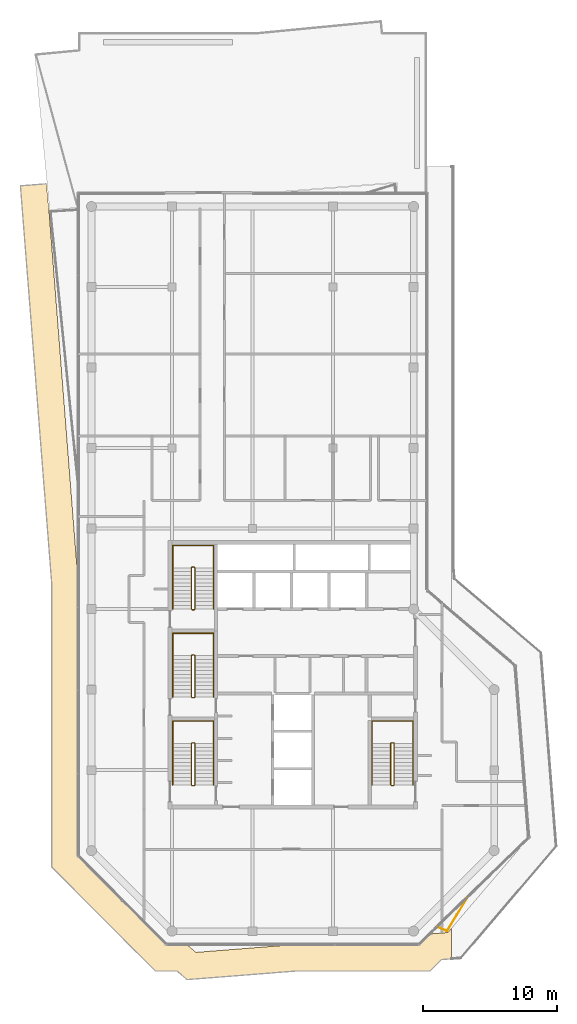
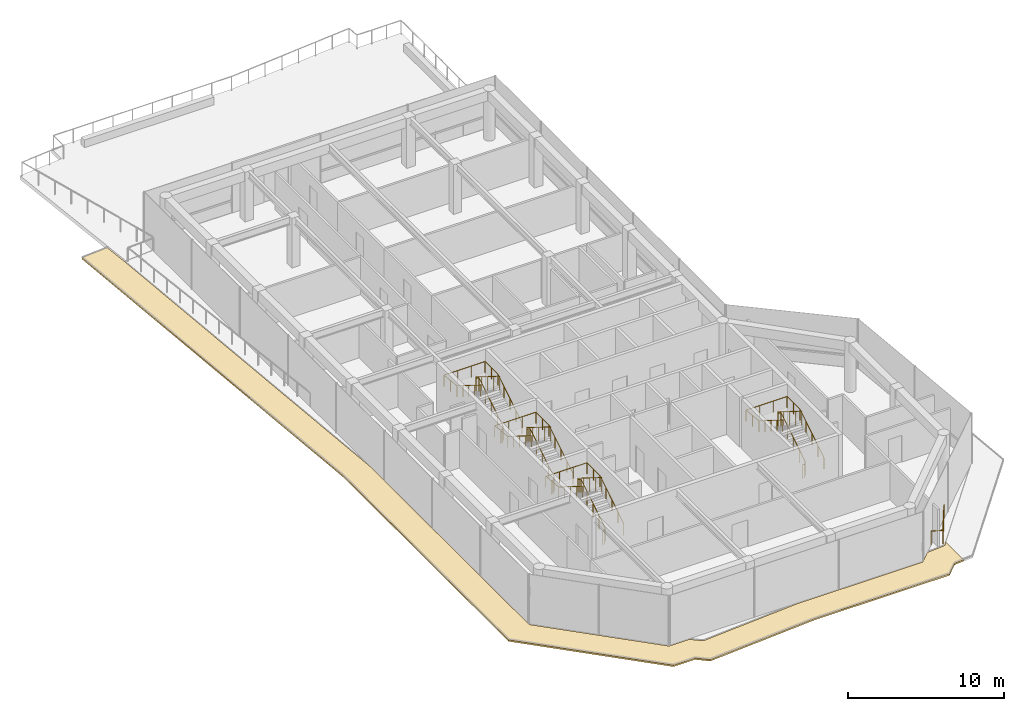
# One storey, part 19 of 20: 9 railings, 1 covering.
"""IFC4 building model written with IfcOpenShell, lengths in metres."""

from ifc_helpers import new_model, si_unit, direction, frame, origin, origin_2d, place, context, subcontext, project, spatial, polyline, circle, outline, extrude, material, layer, layer_set, type_object, element, save


model = new_model("IFC4")

# Units and contexts
model_context = context("Model", 3, precision=1e-05, world=origin(), true_north=direction((0.0, 1.0)))
body_context = subcontext(model_context, "Body", "Model", "MODEL_VIEW")
ifc_project = project(units=[si_unit("LENGTHUNIT", "METRE"), si_unit("AREAUNIT", "SQUARE_METRE"), si_unit("VOLUMEUNIT", "CUBIC_METRE"), si_unit("PLANEANGLEUNIT", "RADIAN"), si_unit("MASSUNIT", "GRAM", prefix="KILO")], contexts=[model_context])

# Site, building, storey
site_placement = place(None, origin())
site = spatial("IfcSite", under=ifc_project, at=site_placement, CompositionType="ELEMENT")
building_placement = place(site_placement, origin())
building = spatial("IfcBuilding", under=site, at=building_placement, Name="Welwitschia Terrace Campus", CompositionType="ELEMENT")
storey_placement = place(building_placement, frame((0.0, 0.0, 314.60009765625)))
storey = spatial("IfcBuildingStorey", under=building, at=storey_placement, Name="L70", CompositionType="ELEMENT", Elevation=314.60009765625)

# Railings
ifc_material_1 = material(Name="Stainless steel grade 316", Category="steel")
railing_type_1 = type_object("IfcRailingType", Name="Guard 1100", PredefinedType="GUARDRAIL", material=ifc_material_1)
railing_1_placement = place(storey_placement, frame((27.984619140625, -1.5478515625, 0.0)))
element("IfcRailing", 1, at=railing_1_placement, inside=storey, type_object=railing_type_1, Name="Guard floor edge L70.2", PredefinedType="GUARDRAIL", context=body_context, shape_type="SweptSolid", body=[
    extrude(circle(Radius=0.02392578125, at=origin_2d()), frame((0.0, 0.0, 1.076171875), z_axis=(-0.522319838218, -0.85274966233, 0.0), x_axis=(0.85274966233, -0.522319838218, 0.0)), (0.0, 0.0, 1.0), 2.860107421875),
    extrude(circle(Radius=0.02392578125, at=origin_2d()), frame((-1.493896484375, -2.43896484375, 1.076171875), z_axis=(-0.926190574239, 0.377055725578, 0.0), x_axis=(-0.377055725578, -0.926190574239, 0.0)), (0.0, 0.0, 1.0), 0.771728515625),
    extrude(circle(Radius=0.02099609375, at=origin_2d()), origin(), (0.0, 0.0, 1.0), 1.052001953125),
    extrude(circle(Radius=0.02099609375, at=origin_2d()), frame((-0.7470703125, -1.219482421875, 0.0)), (0.0, 0.0, 1.0), 1.052001953125),
    extrude(circle(Radius=0.02099609375, at=origin_2d()), frame((-1.493896484375, -2.43896484375, 0.0)), (0.0, 0.0, 1.0), 1.052001953125),
    extrude(circle(Radius=0.02099609375, at=origin_2d()), frame((-2.208740234375, -2.14794921875, 0.0)), (0.0, 0.0, 1.0), 1.052001953125),
])
ifc_material_2 = material(Name="Steel S355", Category="steel")
railing_type_2 = type_object("IfcRailingType", Name="Stair guard 1100", PredefinedType="GUARDRAIL", material=ifc_material_2)
railing_2_placement = place(storey_placement, frame((7.5, 6.85009765625, 0.0)))
element("IfcRailing", 2, at=railing_2_placement, inside=storey, type_object=railing_type_2, Name="L70 S1 stair guard", PredefinedType="GUARDRAIL", context=body_context, shape_type="SweptSolid", body=[
    extrude(circle(Radius=0.02392578125, at=origin_2d()), frame((0.0, 0.0, 1.076171875), z_axis=(1.0, 0.0, 0.0), x_axis=(0.0, 1.0, 0.0)), (0.0, 0.0, 1.0), 0.14990234375),
    extrude(circle(Radius=0.02392578125, at=origin_2d()), frame((0.14990234375, 0.0, 1.076171875), z_axis=(0.265474339444, 0.264179342666, 0.927217692888), x_axis=(-0.705375805398, 0.708833529934, 0.0)), (0.0, 0.0, 1.0), 0.1884765625),
    extrude(circle(Radius=0.02392578125, at=origin_2d()), frame((0.199951171875, 0.0498046875, 1.2509765625), z_axis=(0.0, 0.847998304005, 0.529998940003), x_axis=(-1.0, 0.0, 0.0)), (0.0, 0.0, 1.0), 3.632080078125),
    extrude(circle(Radius=0.02392578125, at=origin_2d()), frame((0.199951171875, 3.1298828125, 3.17578125), z_axis=(-0.707106781187, 0.707106781187, 0.0), x_axis=(-0.707106781187, -0.707106781187, 0.0)), (0.0, 0.0, 1.0), 0.07080078125),
    extrude(circle(Radius=0.02392578125, at=origin_2d()), frame((0.14990234375, 3.179931640625, 3.17578125), z_axis=(-1.0, 0.0, 0.0), x_axis=(0.0, -1.0, 0.0)), (0.0, 0.0, 1.0), 0.14990234375),
    extrude(circle(Radius=0.02392578125, at=origin_2d()), frame((0.0, 3.179931640625, 3.17578125), z_axis=(-0.265065253269, -0.265065253269, 0.927081885822), x_axis=(0.707106781187, -0.707106781187, 0.0)), (0.0, 0.0, 1.0), 0.188720703125),
    extrude(circle(Radius=0.02392578125, at=origin_2d()), frame((-0.050048828125, 3.1298828125, 3.35107421875), z_axis=(0.0, -0.847998304005, 0.529998940003), x_axis=(1.0, 0.0, 0.0)), (0.0, 0.0, 1.0), 3.632080078125),
    extrude(circle(Radius=0.02099609375, at=origin_2d()), origin(), (0.0, 0.0, 1.0), 1.052001953125),
    extrude(circle(Radius=0.02099609375, at=origin_2d()), frame((0.14990234375, 0.0, 0.0)), (0.0, 0.0, 1.0), 1.052001953125),
    extrude(circle(Radius=0.02099609375, at=origin_2d()), frame((0.199951171875, 0.0498046875, 0.1748046875)), (0.0, 0.0, 1.0), 1.052001953125),
    extrude(circle(Radius=0.02099609375, at=origin_2d()), frame((0.199951171875, 0.81982421875, 0.656005859375)), (0.0, 0.0, 1.0), 1.052001953125),
    extrude(circle(Radius=0.02099609375, at=origin_2d()), frame((0.199951171875, 1.58984375, 1.13720703125)), (0.0, 0.0, 1.0), 1.052001953125),
    extrude(circle(Radius=0.02099609375, at=origin_2d()), frame((0.199951171875, 2.35986328125, 1.61865234375)), (0.0, 0.0, 1.0), 1.052001953125),
    extrude(circle(Radius=0.02099609375, at=origin_2d()), frame((0.199951171875, 3.1298828125, 2.099853515625)), (0.0, 0.0, 1.0), 1.052001953125),
    extrude(circle(Radius=0.02099609375, at=origin_2d()), frame((0.14990234375, 3.179931640625, 2.099853515625)), (0.0, 0.0, 1.0), 1.052001953125),
    extrude(circle(Radius=0.02099609375, at=origin_2d()), frame((0.0, 3.179931640625, 2.099853515625)), (0.0, 0.0, 1.0), 1.052001953125),
    extrude(circle(Radius=0.02099609375, at=origin_2d()), frame((-0.050048828125, 3.1298828125, 2.27490234375)), (0.0, 0.0, 1.0), 1.052001953125),
    extrude(circle(Radius=0.02099609375, at=origin_2d()), frame((-0.050048828125, 2.35986328125, 2.756103515625)), (0.0, 0.0, 1.0), 1.052001953125),
    extrude(circle(Radius=0.02099609375, at=origin_2d()), frame((-0.050048828125, 1.58984375, 3.2373046875)), (0.0, 0.0, 1.0), 1.052001953125),
    extrude(circle(Radius=0.02099609375, at=origin_2d()), frame((-0.050048828125, 0.81982421875, 3.71875)), (0.0, 0.0, 1.0), 1.052001953125),
    extrude(circle(Radius=0.02099609375, at=origin_2d()), frame((-0.050048828125, 0.0498046875, 4.199951171875)), (0.0, 0.0, 1.0), 1.052001953125),
])
railing_3_placement = place(storey_placement, frame((7.5, 13.39990234375, 0.0)))
element("IfcRailing", 3, at=railing_3_placement, inside=storey, type_object=railing_type_2, Name="L70 S3 stair guard", PredefinedType="GUARDRAIL", context=body_context, shape_type="SweptSolid", body=[
    extrude(circle(Radius=0.02392578125, at=origin_2d()), frame((0.0, 0.0, 1.076171875), z_axis=(1.0, 0.0, 0.0), x_axis=(0.0, 1.0, 0.0)), (0.0, 0.0, 1.0), 0.14990234375),
    extrude(circle(Radius=0.02392578125, at=origin_2d()), frame((0.14990234375, 0.0, 1.076171875), z_axis=(0.265383341853, 0.265383341853, 0.926899867156), x_axis=(-0.707106781187, 0.707106781187, 0.0)), (0.0, 0.0, 1.0), 0.1884765625),
    extrude(circle(Radius=0.02392578125, at=origin_2d()), frame((0.199951171875, 0.050048828125, 1.2509765625), z_axis=(0.0, 0.847998304005, 0.529998940003), x_axis=(-1.0, 0.0, 0.0)), (0.0, 0.0, 1.0), 3.632080078125),
    extrude(circle(Radius=0.02392578125, at=origin_2d()), frame((0.199951171875, 3.130126953125, 3.17578125), z_axis=(-0.707106781187, 0.707106781187, 0.0), x_axis=(-0.707106781187, -0.707106781187, 0.0)), (0.0, 0.0, 1.0), 0.07080078125),
    extrude(circle(Radius=0.02392578125, at=origin_2d()), frame((0.14990234375, 3.18017578125, 3.17578125), z_axis=(-1.0, 0.0, 0.0), x_axis=(0.0, -1.0, 0.0)), (0.0, 0.0, 1.0), 0.14990234375),
    extrude(circle(Radius=0.02392578125, at=origin_2d()), frame((0.0, 3.18017578125, 3.17578125), z_axis=(-0.265065253269, -0.265065253269, 0.927081885822), x_axis=(0.707106781187, -0.707106781187, 0.0)), (0.0, 0.0, 1.0), 0.188720703125),
    extrude(circle(Radius=0.02392578125, at=origin_2d()), frame((-0.050048828125, 3.130126953125, 3.35107421875), z_axis=(0.0, -0.847998304005, 0.529998940003), x_axis=(1.0, 0.0, 0.0)), (0.0, 0.0, 1.0), 3.632080078125),
    extrude(circle(Radius=0.02099609375, at=origin_2d()), origin(), (0.0, 0.0, 1.0), 1.052001953125),
    extrude(circle(Radius=0.02099609375, at=origin_2d()), frame((0.14990234375, 0.0, 0.0)), (0.0, 0.0, 1.0), 1.052001953125),
    extrude(circle(Radius=0.02099609375, at=origin_2d()), frame((0.199951171875, 0.050048828125, 0.1748046875)), (0.0, 0.0, 1.0), 1.052001953125),
    extrude(circle(Radius=0.02099609375, at=origin_2d()), frame((0.199951171875, 0.820068359375, 0.656005859375)), (0.0, 0.0, 1.0), 1.052001953125),
    extrude(circle(Radius=0.02099609375, at=origin_2d()), frame((0.199951171875, 1.590087890625, 1.13720703125)), (0.0, 0.0, 1.0), 1.052001953125),
    extrude(circle(Radius=0.02099609375, at=origin_2d()), frame((0.199951171875, 2.360107421875, 1.61865234375)), (0.0, 0.0, 1.0), 1.052001953125),
    extrude(circle(Radius=0.02099609375, at=origin_2d()), frame((0.199951171875, 3.130126953125, 2.099853515625)), (0.0, 0.0, 1.0), 1.052001953125),
    extrude(circle(Radius=0.02099609375, at=origin_2d()), frame((0.14990234375, 3.18017578125, 2.099853515625)), (0.0, 0.0, 1.0), 1.052001953125),
    extrude(circle(Radius=0.02099609375, at=origin_2d()), frame((0.0, 3.18017578125, 2.099853515625)), (0.0, 0.0, 1.0), 1.052001953125),
    extrude(circle(Radius=0.02099609375, at=origin_2d()), frame((-0.050048828125, 3.130126953125, 2.27490234375)), (0.0, 0.0, 1.0), 1.052001953125),
    extrude(circle(Radius=0.02099609375, at=origin_2d()), frame((-0.050048828125, 2.360107421875, 2.756103515625)), (0.0, 0.0, 1.0), 1.052001953125),
    extrude(circle(Radius=0.02099609375, at=origin_2d()), frame((-0.050048828125, 1.590087890625, 3.2373046875)), (0.0, 0.0, 1.0), 1.052001953125),
    extrude(circle(Radius=0.02099609375, at=origin_2d()), frame((-0.050048828125, 0.820068359375, 3.71875)), (0.0, 0.0, 1.0), 1.052001953125),
    extrude(circle(Radius=0.02099609375, at=origin_2d()), frame((-0.050048828125, 0.050048828125, 4.199951171875)), (0.0, 0.0, 1.0), 1.052001953125),
])
railing_4_placement = place(storey_placement, frame((7.5, 19.949951171875, 0.0)))
element("IfcRailing", 4, at=railing_4_placement, inside=storey, type_object=railing_type_2, Name="L70 S4 stair guard", PredefinedType="GUARDRAIL", context=body_context, shape_type="SweptSolid", body=[
    extrude(circle(Radius=0.02392578125, at=origin_2d()), frame((0.0, 0.0, 1.076171875), z_axis=(1.0, 0.0, 0.0), x_axis=(0.0, 1.0, 0.0)), (0.0, 0.0, 1.0), 0.14990234375),
    extrude(circle(Radius=0.02392578125, at=origin_2d()), frame((0.14990234375, 0.0, 1.076171875), z_axis=(0.265383341853, 0.265383341853, 0.926899867156), x_axis=(-0.707106781187, 0.707106781187, 0.0)), (0.0, 0.0, 1.0), 0.1884765625),
    extrude(circle(Radius=0.02392578125, at=origin_2d()), frame((0.199951171875, 0.050048828125, 1.2509765625), z_axis=(0.0, 0.847998304005, 0.529998940003), x_axis=(-1.0, 0.0, 0.0)), (0.0, 0.0, 1.0), 3.632080078125),
    extrude(circle(Radius=0.02392578125, at=origin_2d()), frame((0.199951171875, 3.130126953125, 3.17578125), z_axis=(-0.708833529934, 0.705375805398, 0.0), x_axis=(-0.705375805398, -0.708833529934, 0.0)), (0.0, 0.0, 1.0), 0.070556640625),
    extrude(circle(Radius=0.02392578125, at=origin_2d()), frame((0.14990234375, 3.179931640625, 3.17578125), z_axis=(-1.0, 0.0, 0.0), x_axis=(0.0, -1.0, 0.0)), (0.0, 0.0, 1.0), 0.14990234375),
    extrude(circle(Radius=0.02392578125, at=origin_2d()), frame((0.0, 3.179931640625, 3.17578125), z_axis=(-0.265155923931, -0.263862480399, 0.927399011991), x_axis=(0.705375805398, -0.708833529934, 0.0)), (0.0, 0.0, 1.0), 0.188720703125),
    extrude(circle(Radius=0.02392578125, at=origin_2d()), frame((-0.050048828125, 3.130126953125, 3.35107421875), z_axis=(0.0, -0.847998304005, 0.529998940003), x_axis=(1.0, 0.0, 0.0)), (0.0, 0.0, 1.0), 3.632080078125),
    extrude(circle(Radius=0.02099609375, at=origin_2d()), origin(), (0.0, 0.0, 1.0), 1.052001953125),
    extrude(circle(Radius=0.02099609375, at=origin_2d()), frame((0.14990234375, 0.0, 0.0)), (0.0, 0.0, 1.0), 1.052001953125),
    extrude(circle(Radius=0.02099609375, at=origin_2d()), frame((0.199951171875, 0.050048828125, 0.1748046875)), (0.0, 0.0, 1.0), 1.052001953125),
    extrude(circle(Radius=0.02099609375, at=origin_2d()), frame((0.199951171875, 0.820068359375, 0.656005859375)), (0.0, 0.0, 1.0), 1.052001953125),
    extrude(circle(Radius=0.02099609375, at=origin_2d()), frame((0.199951171875, 1.590087890625, 1.13720703125)), (0.0, 0.0, 1.0), 1.052001953125),
    extrude(circle(Radius=0.02099609375, at=origin_2d()), frame((0.199951171875, 2.360107421875, 1.61865234375)), (0.0, 0.0, 1.0), 1.052001953125),
    extrude(circle(Radius=0.02099609375, at=origin_2d()), frame((0.199951171875, 3.130126953125, 2.099853515625)), (0.0, 0.0, 1.0), 1.052001953125),
    extrude(circle(Radius=0.02099609375, at=origin_2d()), frame((0.14990234375, 3.179931640625, 2.099853515625)), (0.0, 0.0, 1.0), 1.052001953125),
    extrude(circle(Radius=0.02099609375, at=origin_2d()), frame((0.0, 3.179931640625, 2.099853515625)), (0.0, 0.0, 1.0), 1.052001953125),
    extrude(circle(Radius=0.02099609375, at=origin_2d()), frame((-0.050048828125, 3.130126953125, 2.27490234375)), (0.0, 0.0, 1.0), 1.052001953125),
    extrude(circle(Radius=0.02099609375, at=origin_2d()), frame((-0.050048828125, 2.360107421875, 2.756103515625)), (0.0, 0.0, 1.0), 1.052001953125),
    extrude(circle(Radius=0.02099609375, at=origin_2d()), frame((-0.050048828125, 1.590087890625, 3.2373046875)), (0.0, 0.0, 1.0), 1.052001953125),
    extrude(circle(Radius=0.02099609375, at=origin_2d()), frame((-0.050048828125, 0.820068359375, 3.71875)), (0.0, 0.0, 1.0), 1.052001953125),
    extrude(circle(Radius=0.02099609375, at=origin_2d()), frame((-0.050048828125, 0.050048828125, 4.199951171875)), (0.0, 0.0, 1.0), 1.052001953125),
])
railing_5_placement = place(storey_placement, frame((22.35009765625, 6.85009765625, 0.0)))
element("IfcRailing", 5, at=railing_5_placement, inside=storey, type_object=railing_type_2, Name="L70 S2 stair guard", PredefinedType="GUARDRAIL", context=body_context, shape_type="SweptSolid", body=[
    extrude(circle(Radius=0.02392578125, at=origin_2d()), frame((0.0, 0.0, 1.076171875), z_axis=(1.0, 0.0, 0.0), x_axis=(0.0, 1.0, 0.0)), (0.0, 0.0, 1.0), 0.14990234375),
    extrude(circle(Radius=0.02392578125, at=origin_2d()), frame((0.14990234375, 0.0, 1.076171875), z_axis=(0.265474339444, 0.264179342666, 0.927217692888), x_axis=(-0.705375805398, 0.708833529934, 0.0)), (0.0, 0.0, 1.0), 0.1884765625),
    extrude(circle(Radius=0.02392578125, at=origin_2d()), frame((0.199951171875, 0.0498046875, 1.2509765625), z_axis=(0.0, 0.847998304005, 0.529998940003), x_axis=(-1.0, 0.0, 0.0)), (0.0, 0.0, 1.0), 3.632080078125),
    extrude(circle(Radius=0.02392578125, at=origin_2d()), frame((0.199951171875, 3.1298828125, 3.17578125), z_axis=(-0.707106781187, 0.707106781187, 0.0), x_axis=(-0.707106781187, -0.707106781187, 0.0)), (0.0, 0.0, 1.0), 0.07080078125),
    extrude(circle(Radius=0.02392578125, at=origin_2d()), frame((0.14990234375, 3.179931640625, 3.17578125), z_axis=(-1.0, 0.0, 0.0), x_axis=(0.0, -1.0, 0.0)), (0.0, 0.0, 1.0), 0.14990234375),
    extrude(circle(Radius=0.02392578125, at=origin_2d()), frame((0.0, 3.179931640625, 3.17578125), z_axis=(-0.265065253269, -0.265065253269, 0.927081885822), x_axis=(0.707106781187, -0.707106781187, 0.0)), (0.0, 0.0, 1.0), 0.188720703125),
    extrude(circle(Radius=0.02392578125, at=origin_2d()), frame((-0.050048828125, 3.1298828125, 3.35107421875), z_axis=(0.0, -0.847998304005, 0.529998940003), x_axis=(1.0, 0.0, 0.0)), (0.0, 0.0, 1.0), 3.632080078125),
    extrude(circle(Radius=0.02099609375, at=origin_2d()), origin(), (0.0, 0.0, 1.0), 1.052001953125),
    extrude(circle(Radius=0.02099609375, at=origin_2d()), frame((0.14990234375, 0.0, 0.0)), (0.0, 0.0, 1.0), 1.052001953125),
    extrude(circle(Radius=0.02099609375, at=origin_2d()), frame((0.199951171875, 0.0498046875, 0.1748046875)), (0.0, 0.0, 1.0), 1.052001953125),
    extrude(circle(Radius=0.02099609375, at=origin_2d()), frame((0.199951171875, 0.81982421875, 0.656005859375)), (0.0, 0.0, 1.0), 1.052001953125),
    extrude(circle(Radius=0.02099609375, at=origin_2d()), frame((0.199951171875, 1.58984375, 1.13720703125)), (0.0, 0.0, 1.0), 1.052001953125),
    extrude(circle(Radius=0.02099609375, at=origin_2d()), frame((0.199951171875, 2.35986328125, 1.61865234375)), (0.0, 0.0, 1.0), 1.052001953125),
    extrude(circle(Radius=0.02099609375, at=origin_2d()), frame((0.199951171875, 3.1298828125, 2.099853515625)), (0.0, 0.0, 1.0), 1.052001953125),
    extrude(circle(Radius=0.02099609375, at=origin_2d()), frame((0.14990234375, 3.179931640625, 2.099853515625)), (0.0, 0.0, 1.0), 1.052001953125),
    extrude(circle(Radius=0.02099609375, at=origin_2d()), frame((0.0, 3.179931640625, 2.099853515625)), (0.0, 0.0, 1.0), 1.052001953125),
    extrude(circle(Radius=0.02099609375, at=origin_2d()), frame((-0.050048828125, 3.1298828125, 2.27490234375)), (0.0, 0.0, 1.0), 1.052001953125),
    extrude(circle(Radius=0.02099609375, at=origin_2d()), frame((-0.050048828125, 2.35986328125, 2.756103515625)), (0.0, 0.0, 1.0), 1.052001953125),
    extrude(circle(Radius=0.02099609375, at=origin_2d()), frame((-0.050048828125, 1.58984375, 3.2373046875)), (0.0, 0.0, 1.0), 1.052001953125),
    extrude(circle(Radius=0.02099609375, at=origin_2d()), frame((-0.050048828125, 0.81982421875, 3.71875)), (0.0, 0.0, 1.0), 1.052001953125),
    extrude(circle(Radius=0.02099609375, at=origin_2d()), frame((-0.050048828125, 0.0498046875, 4.199951171875)), (0.0, 0.0, 1.0), 1.052001953125),
])
ifc_material_3 = material(Name="Steel S355", Category="steel")
railing_type_3 = type_object("IfcRailingType", Name="Stair handrail 900", PredefinedType="HANDRAIL", material=ifc_material_3)
railing_6_placement = place(storey_placement, frame((9.10009765625, 6.89990234375, 0.1748046875)))
element("IfcRailing", 6, at=railing_6_placement, inside=storey, type_object=railing_type_3, Name="L70 S1 stair handrail", PredefinedType="HANDRAIL", context=body_context, shape_type="SweptSolid", body=[
    extrude(circle(Radius=0.02392578125, at=origin_2d()), frame((0.0, 0.0, 0.8759765625), z_axis=(0.0, 0.847998304005, 0.529998940003), x_axis=(-1.0, 0.0, 0.0)), (0.0, 0.0, 1.0), 3.632080078125),
    extrude(circle(Radius=0.02392578125, at=origin_2d()), frame((0.0, 3.080078125, 2.80078125), z_axis=(0.0, 1.0, 0.0), x_axis=(-1.0, 0.0, 0.0)), (0.0, 0.0, 1.0), 1.669921875),
    extrude(circle(Radius=0.02392578125, at=origin_2d()), frame((0.0, 4.75, 2.80078125), z_axis=(-1.0, 0.0, 0.0), x_axis=(0.0, -1.0, 0.0)), (0.0, 0.0, 1.0), 3.050048828125),
    extrude(circle(Radius=0.02392578125, at=origin_2d()), frame((-3.050048828125, 4.75, 2.80078125), z_axis=(0.0, -0.99455077262, 0.104253348533), x_axis=(1.0, 0.0, 0.0)), (0.0, 0.0, 1.0), 1.678955078125),
    extrude(circle(Radius=0.02392578125, at=origin_2d()), frame((-3.050048828125, 3.080078125, 2.97607421875), z_axis=(0.0, -0.847998304005, 0.529998940003), x_axis=(1.0, 0.0, 0.0)), (0.0, 0.0, 1.0), 3.632080078125),
    extrude(circle(Radius=0.02099609375, at=origin_2d()), origin(), (0.0, 0.0, 1.0), 0.851806640625),
    extrude(circle(Radius=0.02099609375, at=origin_2d()), frame((0.0, 0.77001953125, 0.481201171875)), (0.0, 0.0, 1.0), 0.851806640625),
    extrude(circle(Radius=0.02099609375, at=origin_2d()), frame((0.0, 1.5400390625, 0.96240234375)), (0.0, 0.0, 1.0), 0.851806640625),
    extrude(circle(Radius=0.02099609375, at=origin_2d()), frame((0.0, 2.31005859375, 1.44384765625)), (0.0, 0.0, 1.0), 0.851806640625),
    extrude(circle(Radius=0.02099609375, at=origin_2d()), frame((0.0, 3.080078125, 1.925048828125)), (0.0, 0.0, 1.0), 0.851806640625),
    extrude(circle(Radius=0.02099609375, at=origin_2d()), frame((0.0, 3.9150390625, 1.925048828125)), (0.0, 0.0, 1.0), 0.851806640625),
    extrude(circle(Radius=0.02099609375, at=origin_2d()), frame((0.0, 4.75, 1.925048828125)), (0.0, 0.0, 1.0), 0.851806640625),
    extrude(circle(Radius=0.02099609375, at=origin_2d()), frame((-1.0166015625, 4.75, 1.925048828125)), (0.0, 0.0, 1.0), 0.851806640625),
    extrude(circle(Radius=0.02099609375, at=origin_2d()), frame((-2.033447265625, 4.75, 1.925048828125)), (0.0, 0.0, 1.0), 0.851806640625),
    extrude(circle(Radius=0.02099609375, at=origin_2d()), frame((-3.050048828125, 4.75, 1.925048828125)), (0.0, 0.0, 1.0), 0.851806640625),
    extrude(circle(Radius=0.02099609375, at=origin_2d()), frame((-3.050048828125, 3.9150390625, 2.0126953125)), (0.0, 0.0, 1.0), 0.851806640625),
    extrude(circle(Radius=0.02099609375, at=origin_2d()), frame((-3.050048828125, 3.080078125, 2.10009765625)), (0.0, 0.0, 1.0), 0.851806640625),
    extrude(circle(Radius=0.02099609375, at=origin_2d()), frame((-3.050048828125, 2.31005859375, 2.581298828125)), (0.0, 0.0, 1.0), 0.851806640625),
    extrude(circle(Radius=0.02099609375, at=origin_2d()), frame((-3.050048828125, 1.5400390625, 3.0625)), (0.0, 0.0, 1.0), 0.851806640625),
    extrude(circle(Radius=0.02099609375, at=origin_2d()), frame((-3.050048828125, 0.77001953125, 3.5439453125)), (0.0, 0.0, 1.0), 0.851806640625),
    extrude(circle(Radius=0.02099609375, at=origin_2d()), frame((-3.050048828125, 0.0, 4.025146484375)), (0.0, 0.0, 1.0), 0.851806640625),
])
railing_7_placement = place(storey_placement, frame((9.10009765625, 13.449951171875, 0.1748046875)))
element("IfcRailing", 7, at=railing_7_placement, inside=storey, type_object=railing_type_3, Name="L70 S3 stair handrail", PredefinedType="HANDRAIL", context=body_context, shape_type="SweptSolid", body=[
    extrude(circle(Radius=0.02392578125, at=origin_2d()), frame((0.0, 0.0, 0.8759765625), z_axis=(0.0, 0.847998304005, 0.529998940003), x_axis=(-1.0, 0.0, 0.0)), (0.0, 0.0, 1.0), 3.632080078125),
    extrude(circle(Radius=0.02392578125, at=origin_2d()), frame((0.0, 3.080078125, 2.80078125), z_axis=(0.0, 1.0, 0.0), x_axis=(-1.0, 0.0, 0.0)), (0.0, 0.0, 1.0), 1.669921875),
    extrude(circle(Radius=0.02392578125, at=origin_2d()), frame((0.0, 4.75, 2.80078125), z_axis=(-1.0, 0.0, 0.0), x_axis=(0.0, -1.0, 0.0)), (0.0, 0.0, 1.0), 3.050048828125),
    extrude(circle(Radius=0.02392578125, at=origin_2d()), frame((-3.050048828125, 4.75, 2.80078125), z_axis=(0.0, -0.99455077262, 0.104253348533), x_axis=(1.0, 0.0, 0.0)), (0.0, 0.0, 1.0), 1.678955078125),
    extrude(circle(Radius=0.02392578125, at=origin_2d()), frame((-3.050048828125, 3.080078125, 2.97607421875), z_axis=(0.0, -0.847998304005, 0.529998940003), x_axis=(1.0, 0.0, 0.0)), (0.0, 0.0, 1.0), 3.632080078125),
    extrude(circle(Radius=0.02099609375, at=origin_2d()), origin(), (0.0, 0.0, 1.0), 0.851806640625),
    extrude(circle(Radius=0.02099609375, at=origin_2d()), frame((0.0, 0.77001953125, 0.481201171875)), (0.0, 0.0, 1.0), 0.851806640625),
    extrude(circle(Radius=0.02099609375, at=origin_2d()), frame((0.0, 1.5400390625, 0.96240234375)), (0.0, 0.0, 1.0), 0.851806640625),
    extrude(circle(Radius=0.02099609375, at=origin_2d()), frame((0.0, 2.31005859375, 1.44384765625)), (0.0, 0.0, 1.0), 0.851806640625),
    extrude(circle(Radius=0.02099609375, at=origin_2d()), frame((0.0, 3.080078125, 1.925048828125)), (0.0, 0.0, 1.0), 0.851806640625),
    extrude(circle(Radius=0.02099609375, at=origin_2d()), frame((0.0, 3.9150390625, 1.925048828125)), (0.0, 0.0, 1.0), 0.851806640625),
    extrude(circle(Radius=0.02099609375, at=origin_2d()), frame((0.0, 4.75, 1.925048828125)), (0.0, 0.0, 1.0), 0.851806640625),
    extrude(circle(Radius=0.02099609375, at=origin_2d()), frame((-1.0166015625, 4.75, 1.925048828125)), (0.0, 0.0, 1.0), 0.851806640625),
    extrude(circle(Radius=0.02099609375, at=origin_2d()), frame((-2.033447265625, 4.75, 1.925048828125)), (0.0, 0.0, 1.0), 0.851806640625),
    extrude(circle(Radius=0.02099609375, at=origin_2d()), frame((-3.050048828125, 4.75, 1.925048828125)), (0.0, 0.0, 1.0), 0.851806640625),
    extrude(circle(Radius=0.02099609375, at=origin_2d()), frame((-3.050048828125, 3.9150390625, 2.0126953125)), (0.0, 0.0, 1.0), 0.851806640625),
    extrude(circle(Radius=0.02099609375, at=origin_2d()), frame((-3.050048828125, 3.080078125, 2.10009765625)), (0.0, 0.0, 1.0), 0.851806640625),
    extrude(circle(Radius=0.02099609375, at=origin_2d()), frame((-3.050048828125, 2.31005859375, 2.581298828125)), (0.0, 0.0, 1.0), 0.851806640625),
    extrude(circle(Radius=0.02099609375, at=origin_2d()), frame((-3.050048828125, 1.5400390625, 3.0625)), (0.0, 0.0, 1.0), 0.851806640625),
    extrude(circle(Radius=0.02099609375, at=origin_2d()), frame((-3.050048828125, 0.77001953125, 3.5439453125)), (0.0, 0.0, 1.0), 0.851806640625),
    extrude(circle(Radius=0.02099609375, at=origin_2d()), frame((-3.050048828125, 0.0, 4.025146484375)), (0.0, 0.0, 1.0), 0.851806640625),
])
railing_8_placement = place(storey_placement, frame((9.10009765625, 20.0, 0.1748046875)))
element("IfcRailing", 8, at=railing_8_placement, inside=storey, type_object=railing_type_3, Name="L70 S4 stair handrail", PredefinedType="HANDRAIL", context=body_context, shape_type="SweptSolid", body=[
    extrude(circle(Radius=0.02392578125, at=origin_2d()), frame((0.0, 0.0, 0.8759765625), z_axis=(0.0, 0.847998304005, 0.529998940003), x_axis=(-1.0, 0.0, 0.0)), (0.0, 0.0, 1.0), 3.632080078125),
    extrude(circle(Radius=0.02392578125, at=origin_2d()), frame((0.0, 3.080078125, 2.80078125), z_axis=(0.0, 1.0, 0.0), x_axis=(-1.0, 0.0, 0.0)), (0.0, 0.0, 1.0), 1.669921875),
    extrude(circle(Radius=0.02392578125, at=origin_2d()), frame((0.0, 4.75, 2.80078125), z_axis=(-1.0, 0.0, 0.0), x_axis=(0.0, -1.0, 0.0)), (0.0, 0.0, 1.0), 3.050048828125),
    extrude(circle(Radius=0.02392578125, at=origin_2d()), frame((-3.050048828125, 4.75, 2.80078125), z_axis=(0.0, -0.99455077262, 0.104253348533), x_axis=(1.0, 0.0, 0.0)), (0.0, 0.0, 1.0), 1.678955078125),
    extrude(circle(Radius=0.02392578125, at=origin_2d()), frame((-3.050048828125, 3.080078125, 2.97607421875), z_axis=(0.0, -0.847998304005, 0.529998940003), x_axis=(1.0, 0.0, 0.0)), (0.0, 0.0, 1.0), 3.632080078125),
    extrude(circle(Radius=0.02099609375, at=origin_2d()), origin(), (0.0, 0.0, 1.0), 0.851806640625),
    extrude(circle(Radius=0.02099609375, at=origin_2d()), frame((0.0, 0.77001953125, 0.481201171875)), (0.0, 0.0, 1.0), 0.851806640625),
    extrude(circle(Radius=0.02099609375, at=origin_2d()), frame((0.0, 1.5400390625, 0.96240234375)), (0.0, 0.0, 1.0), 0.851806640625),
    extrude(circle(Radius=0.02099609375, at=origin_2d()), frame((0.0, 2.31005859375, 1.44384765625)), (0.0, 0.0, 1.0), 0.851806640625),
    extrude(circle(Radius=0.02099609375, at=origin_2d()), frame((0.0, 3.080078125, 1.925048828125)), (0.0, 0.0, 1.0), 0.851806640625),
    extrude(circle(Radius=0.02099609375, at=origin_2d()), frame((0.0, 3.9150390625, 1.925048828125)), (0.0, 0.0, 1.0), 0.851806640625),
    extrude(circle(Radius=0.02099609375, at=origin_2d()), frame((0.0, 4.75, 1.925048828125)), (0.0, 0.0, 1.0), 0.851806640625),
    extrude(circle(Radius=0.02099609375, at=origin_2d()), frame((-1.0166015625, 4.75, 1.925048828125)), (0.0, 0.0, 1.0), 0.851806640625),
    extrude(circle(Radius=0.02099609375, at=origin_2d()), frame((-2.033447265625, 4.75, 1.925048828125)), (0.0, 0.0, 1.0), 0.851806640625),
    extrude(circle(Radius=0.02099609375, at=origin_2d()), frame((-3.050048828125, 4.75, 1.925048828125)), (0.0, 0.0, 1.0), 0.851806640625),
    extrude(circle(Radius=0.02099609375, at=origin_2d()), frame((-3.050048828125, 3.9150390625, 2.0126953125)), (0.0, 0.0, 1.0), 0.851806640625),
    extrude(circle(Radius=0.02099609375, at=origin_2d()), frame((-3.050048828125, 3.080078125, 2.10009765625)), (0.0, 0.0, 1.0), 0.851806640625),
    extrude(circle(Radius=0.02099609375, at=origin_2d()), frame((-3.050048828125, 2.31005859375, 2.581298828125)), (0.0, 0.0, 1.0), 0.851806640625),
    extrude(circle(Radius=0.02099609375, at=origin_2d()), frame((-3.050048828125, 1.5400390625, 3.0625)), (0.0, 0.0, 1.0), 0.851806640625),
    extrude(circle(Radius=0.02099609375, at=origin_2d()), frame((-3.050048828125, 0.77001953125, 3.5439453125)), (0.0, 0.0, 1.0), 0.851806640625),
    extrude(circle(Radius=0.02099609375, at=origin_2d()), frame((-3.050048828125, 0.0, 4.025146484375)), (0.0, 0.0, 1.0), 0.851806640625),
])
railing_9_placement = place(storey_placement, frame((23.949951171875, 6.89990234375, 0.1748046875)))
element("IfcRailing", 9, at=railing_9_placement, inside=storey, type_object=railing_type_3, Name="L70 S2 stair handrail", PredefinedType="HANDRAIL", context=body_context, shape_type="SweptSolid", body=[
    extrude(circle(Radius=0.02392578125, at=origin_2d()), frame((0.0, 0.0, 0.8759765625), z_axis=(0.0, 0.847998304005, 0.529998940003), x_axis=(-1.0, 0.0, 0.0)), (0.0, 0.0, 1.0), 3.632080078125),
    extrude(circle(Radius=0.02392578125, at=origin_2d()), frame((0.0, 3.080078125, 2.80078125), z_axis=(0.0, 1.0, 0.0), x_axis=(-1.0, 0.0, 0.0)), (0.0, 0.0, 1.0), 1.669921875),
    extrude(circle(Radius=0.02392578125, at=origin_2d()), frame((0.0, 4.75, 2.80078125), z_axis=(-1.0, 0.0, 0.0), x_axis=(0.0, -1.0, 0.0)), (0.0, 0.0, 1.0), 3.050048828125),
    extrude(circle(Radius=0.02392578125, at=origin_2d()), frame((-3.050048828125, 4.75, 2.80078125), z_axis=(0.0, -0.99455077262, 0.104253348533), x_axis=(1.0, 0.0, 0.0)), (0.0, 0.0, 1.0), 1.678955078125),
    extrude(circle(Radius=0.02392578125, at=origin_2d()), frame((-3.050048828125, 3.080078125, 2.97607421875), z_axis=(0.0, -0.847998304005, 0.529998940003), x_axis=(1.0, 0.0, 0.0)), (0.0, 0.0, 1.0), 3.632080078125),
    extrude(circle(Radius=0.02099609375, at=origin_2d()), origin(), (0.0, 0.0, 1.0), 0.851806640625),
    extrude(circle(Radius=0.02099609375, at=origin_2d()), frame((0.0, 0.77001953125, 0.481201171875)), (0.0, 0.0, 1.0), 0.851806640625),
    extrude(circle(Radius=0.02099609375, at=origin_2d()), frame((0.0, 1.5400390625, 0.96240234375)), (0.0, 0.0, 1.0), 0.851806640625),
    extrude(circle(Radius=0.02099609375, at=origin_2d()), frame((0.0, 2.31005859375, 1.44384765625)), (0.0, 0.0, 1.0), 0.851806640625),
    extrude(circle(Radius=0.02099609375, at=origin_2d()), frame((0.0, 3.080078125, 1.925048828125)), (0.0, 0.0, 1.0), 0.851806640625),
    extrude(circle(Radius=0.02099609375, at=origin_2d()), frame((0.0, 3.9150390625, 1.925048828125)), (0.0, 0.0, 1.0), 0.851806640625),
    extrude(circle(Radius=0.02099609375, at=origin_2d()), frame((0.0, 4.75, 1.925048828125)), (0.0, 0.0, 1.0), 0.851806640625),
    extrude(circle(Radius=0.02099609375, at=origin_2d()), frame((-1.0166015625, 4.75, 1.925048828125)), (0.0, 0.0, 1.0), 0.851806640625),
    extrude(circle(Radius=0.02099609375, at=origin_2d()), frame((-2.033447265625, 4.75, 1.925048828125)), (0.0, 0.0, 1.0), 0.851806640625),
    extrude(circle(Radius=0.02099609375, at=origin_2d()), frame((-3.050048828125, 4.75, 1.925048828125)), (0.0, 0.0, 1.0), 0.851806640625),
    extrude(circle(Radius=0.02099609375, at=origin_2d()), frame((-3.050048828125, 3.9150390625, 2.0126953125)), (0.0, 0.0, 1.0), 0.851806640625),
    extrude(circle(Radius=0.02099609375, at=origin_2d()), frame((-3.050048828125, 3.080078125, 2.10009765625)), (0.0, 0.0, 1.0), 0.851806640625),
    extrude(circle(Radius=0.02099609375, at=origin_2d()), frame((-3.050048828125, 2.31005859375, 2.581298828125)), (0.0, 0.0, 1.0), 0.851806640625),
    extrude(circle(Radius=0.02099609375, at=origin_2d()), frame((-3.050048828125, 1.5400390625, 3.0625)), (0.0, 0.0, 1.0), 0.851806640625),
    extrude(circle(Radius=0.02099609375, at=origin_2d()), frame((-3.050048828125, 0.77001953125, 3.5439453125)), (0.0, 0.0, 1.0), 0.851806640625),
    extrude(circle(Radius=0.02099609375, at=origin_2d()), frame((-3.050048828125, 0.0, 4.025146484375)), (0.0, 0.0, 1.0), 0.851806640625),
])

# Covering
ifc_material_4 = material(Name="Bronze anodised aluminium", Category="aluminium")
ifc_layer = layer(ifc_material_4, 0.1201171875)
ifc_layer_set = layer_set([ifc_layer], Name="Bronze anodised aluminium")
covering_type = type_object("IfcCoveringType", Name="Sunshade band 2000", PredefinedType="USERDEFINED", material=ifc_layer_set)
covering_placement = place(storey_placement, frame((0.0, 0.0, -0.2001953125)))
element("IfcCovering", 10, at=covering_placement, inside=storey, type_object=covering_type, Name="SUNSHADE L70.SW0", ObjectType="SUNSHADE", PredefinedType="USERDEFINED", context=body_context, shape_type="SweptSolid", body=[
    extrude(outline(polyline([(-3.174560546875, 49.731201171875), (-1.0, 22.03271484375), (-1.0, 1.585693359375), (5.585693359375, -5.0), (7.100341796875, -5.0), (7.779296875, -5.579833984375), (15.147705078125, -5.0), (24.414306640625, -5.0), (25.205810546875, -4.20849609375), (26.5498046875, -4.1025390625), (26.820068359375, -3.785888671875), (26.820068359375, -6.087646484375), (26.098388671875, -6.144287109375), (25.24267578125, -7.0), (15.226318359375, -7.0), (7.1103515625, -7.638671875), (6.362548828125, -7.0), (4.75732421875, -7.0), (-3.0, 0.75732421875), (-3.0, 21.9541015625), (-5.33056640625, 51.567626953125), (-3.3662109375, 51.722412109375), (-3.174560546875, 49.731201171875)])), origin(), (0.0, 0.0, 1.0), 0.1201171875),
])

save(model, "model.ifc")
